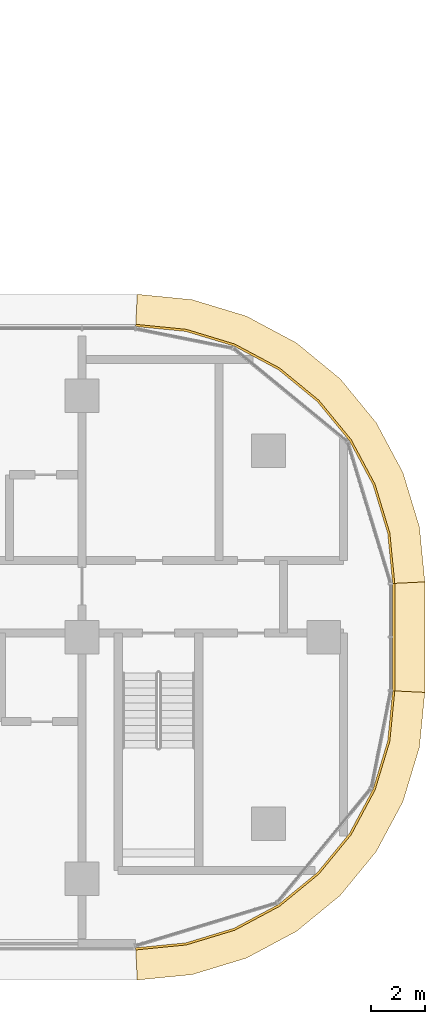
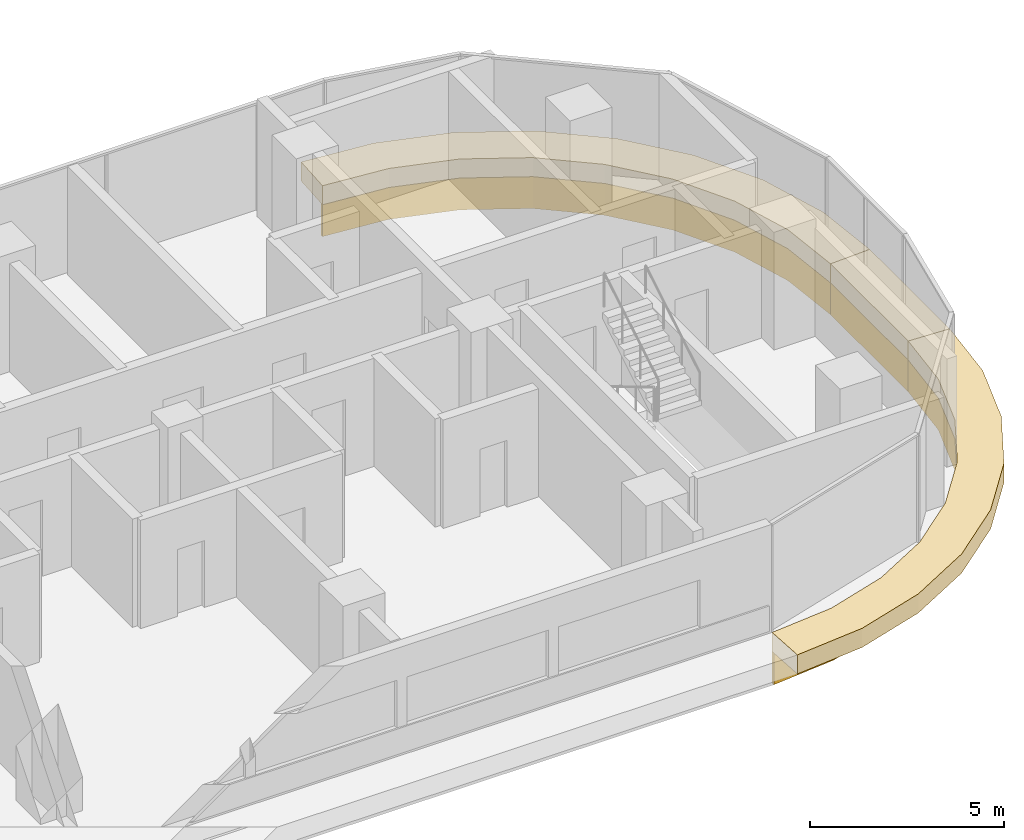
# One storey, part 25 of 25: 6 coverings.
"""IFC4 building model written with IfcOpenShell, lengths in metres."""

import ifcopenshell
import ifcopenshell.guid

model = None  # the IFC model being written
_history = None  # IfcOwnerHistory: only IFC2X3 demands one
_inside = {}  # id of a spatial element -> (the spatial element, [elements in it])
_under = {}  # id of a project, library or spatial element -> (it, [spatial elements below it])
_declared = {}  # id of a project -> (the project, [libraries it declares])
_typed = {}  # id of a type object -> (the type object, [elements of that type])
_made_of = {}  # id of a material, layer set ... -> (it, [elements and type objects made of it])


def new_model(schema):
    """Start an empty IFC model of exactly this schema.

    Asked for "IFC4X3", IfcOpenShell would pick the latest addendum, in which some entities
    have other attributes; the version numbers below select the first issue.
    IFC2X3 requires an IfcOwnerHistory on every rooted entity: one is made here for all.
    """
    global model, _history
    if schema == "IFC4X3":
        model = ifcopenshell.file(schema_version=(4, 3, 0, 0))
    else:
        model = ifcopenshell.file(schema=schema)
    _inside.clear()
    _under.clear()
    _declared.clear()
    _typed.clear()
    _made_of.clear()
    _history = None
    if model.schema == "IFC2X3":
        org = make("IfcOrganization", Name="unknown")
        user = make(
            "IfcPersonAndOrganization",
            ThePerson=make("IfcPerson", FamilyName="unknown"),
            TheOrganization=org,
        )
        app = make(
            "IfcApplication",
            ApplicationDeveloper=org,
            Version="unknown",
            ApplicationFullName="unknown",
            ApplicationIdentifier="unknown",
        )
        _history = make(
            "IfcOwnerHistory",
            OwningUser=user,
            OwningApplication=app,
            ChangeAction="ADDED",
            CreationDate=0,
        )
    return model


def make(cls, **values):
    """One entity of the class cls with the attributes given. An attribute that is None is left unset."""
    return model.create_entity(
        cls, **{name: value for name, value in values.items() if value is not None}
    )


def rooted(cls, **values):
    """An entity with a GlobalId (a new one), such as an element, a storey or a relation."""
    return make(cls, GlobalId=ifcopenshell.guid.new(), OwnerHistory=_history, **values)


def si_unit(unit_type, name, prefix=None):
    """IfcSIUnit, for example si_unit("LENGTHUNIT", "METRE", prefix="MILLI")."""
    return make("IfcSIUnit", UnitType=unit_type, Prefix=prefix, Name=name)


def assignment(units):
    """IfcUnitAssignment: the units of a project."""
    return None if units is None else make("IfcUnitAssignment", Units=units)


def point(xyz):
    """IfcCartesianPoint."""
    return None if xyz is None else make("IfcCartesianPoint", Coordinates=xyz)


def direction(xyz):
    """IfcDirection."""
    return None if xyz is None else make("IfcDirection", DirectionRatios=xyz)


def frame(location, z_axis=None, x_axis=None):
    """IfcAxis2Placement3D, a coordinate frame: its origin and axes. An axis left out is left unset."""
    return make(
        "IfcAxis2Placement3D",
        Location=point(location),
        Axis=direction(z_axis),
        RefDirection=direction(x_axis),
    )


def origin():
    """The frame at (0, 0, 0) with its axes left unset."""
    return frame((0.0, 0.0, 0.0))


def place(relative_to, where):
    """IfcLocalPlacement: puts the frame where relative to a parent placement (None: the world)."""
    return make(
        "IfcLocalPlacement", PlacementRelTo=relative_to, RelativePlacement=where
    )


def context(
    kind, dimensions, precision=None, world=None, true_north=None, identifier=None
):
    """IfcGeometricRepresentationContext, for example the 3D "Model" context."""
    return make(
        "IfcGeometricRepresentationContext",
        ContextIdentifier=identifier,
        ContextType=kind,
        CoordinateSpaceDimension=dimensions,
        Precision=precision,
        WorldCoordinateSystem=world,
        TrueNorth=true_north,
    )


def subcontext(parent, identifier, kind, view, scale=None):
    """IfcGeometricRepresentationSubContext, for example "Body" below "Model"."""
    return make(
        "IfcGeometricRepresentationSubContext",
        ContextIdentifier=identifier,
        ContextType=kind,
        ParentContext=parent,
        TargetScale=scale,
        TargetView=view,
    )


def project(units=None, contexts=None):
    """IfcProject with its units and contexts."""
    return rooted(
        "IfcProject",
        Name="project",
        RepresentationContexts=contexts,
        UnitsInContext=assignment(units),
    )


def spatial(cls, under=None, at=None, **own):
    """A site, building, storey or space (cls), placed at a placement, below another one or the project."""
    s = rooted(cls, ObjectPlacement=at, **own)
    if under is not None:
        _under.setdefault(under.id(), (under, []))[1].append(s)
    return s


def polyline(points):
    """IfcPolyline through the points."""
    return make("IfcPolyline", Points=[point(p) for p in points])


def outline(outer, holes=None, kind="AREA"):
    """IfcArbitraryClosedProfileDef: a profile drawn as a closed curve; with holes, ...WithVoids."""
    if holes is None:
        return make("IfcArbitraryClosedProfileDef", ProfileType=kind, OuterCurve=outer)
    return make(
        "IfcArbitraryProfileDefWithVoids",
        ProfileType=kind,
        OuterCurve=outer,
        InnerCurves=holes,
    )


def extrude(swept, where, along, depth):
    """IfcExtrudedAreaSolid: the profile swept, set in the frame where, extruded along a direction by depth."""
    return make(
        "IfcExtrudedAreaSolid",
        SweptArea=swept,
        Position=where,
        ExtrudedDirection=direction(along),
        Depth=depth,
    )


def shape(context_of_items, identifier, shape_type, items):
    """IfcShapeRepresentation: the items that make up one representation, for example the "Body"."""
    return make(
        "IfcShapeRepresentation",
        ContextOfItems=context_of_items,
        RepresentationIdentifier=identifier,
        RepresentationType=shape_type,
        Items=items,
    )


def material(Name=None, Category=None):
    """IfcMaterial."""
    return make("IfcMaterial", Name=Name, Category=Category)


def layer(
    of_material, thickness, ventilated=None, Name=None, Category=None, Priority=None
):
    """IfcMaterialLayer: one layer of a wall or slab, of a material (None: an air gap)."""
    return make(
        "IfcMaterialLayer",
        Material=of_material,
        LayerThickness=thickness,
        IsVentilated=ventilated,
        Name=Name,
        Category=Category,
        Priority=Priority,
    )


def layer_set(layers, Name=None):
    """IfcMaterialLayerSet."""
    return make("IfcMaterialLayerSet", MaterialLayers=layers, LayerSetName=Name)


def made_of(thing, what):
    """Note that an element or type object is made of a material, layer set ...; save() writes the relation."""
    if what is not None:
        _made_of.setdefault(what.id(), (what, []))[1].append(thing)
    return thing


def type_object(cls, material=None, **own):
    """A type object (cls), such as IfcWallType, which elements share."""
    return made_of(rooted(cls, **own), material)


def element(
    cls,
    number,
    at=None,
    inside=None,
    cuts=None,
    type_object=None,
    material=None,
    context=None,
    identifier="Body",
    shape_type=None,
    held_by="IfcProductDefinitionShape",
    body=None,
    shapes=None,
    **own,
):
    """One element of the class cls, such as IfcWall. Its Tag is "e" and its number.

    at: its placement. inside: the storey or other place that contains it. cuts: it is an
    opening in that element (IfcRelVoidsElement). A single representation is given by context,
    identifier, shape_type and body (its items); several are given by shapes. held_by: the class
    of the entity that holds the representations. save() writes the other relations.
    """
    e = rooted(cls, Tag="e%d" % number, ObjectPlacement=at, **own)
    if body is not None:
        shapes = [shape(context, identifier, shape_type, body)]
    if shapes is not None:
        e.Representation = make(held_by, Representations=shapes)
    if inside is not None:
        _inside.setdefault(inside.id(), (inside, []))[1].append(e)
    if cuts is not None:
        rooted(
            "IfcRelVoidsElement", RelatingBuildingElement=cuts, RelatedOpeningElement=e
        )
    if type_object is not None:
        _typed.setdefault(type_object.id(), (type_object, []))[1].append(e)
    return made_of(e, material)


def aggregate(whole, parts):
    """IfcRelAggregates: a whole, such as a stair, and the parts it consists of."""
    return rooted("IfcRelAggregates", RelatingObject=whole, RelatedObjects=parts)


def save(model, path):
    """Write the relations noted so far, then the file.

    IfcRelAggregates (storeys below a building ...), IfcRelContainedInSpatialStructure (elements
    in a storey), IfcRelDefinesByType, IfcRelAssociatesMaterial and IfcRelDeclares: one each for
    every whole, place, type object, material and project.
    """
    for whole, parts in _under.values():
        aggregate(whole, parts)
    for where, things in _inside.values():
        rooted(
            "IfcRelContainedInSpatialStructure",
            RelatedElements=things,
            RelatingStructure=where,
        )
    for kind, things in _typed.values():
        rooted("IfcRelDefinesByType", RelatedObjects=things, RelatingType=kind)
    for what, things in _made_of.values():
        rooted("IfcRelAssociatesMaterial", RelatedObjects=things, RelatingMaterial=what)
    for by, libraries in _declared.values():
        rooted("IfcRelDeclares", RelatingContext=by, RelatedDefinitions=libraries)
    model.write(path)


model = new_model("IFC4")

# Units and contexts
model_context = context("Model", 3, precision=1e-05, world=origin(), true_north=direction((0.0, 1.0)))
body_context = subcontext(model_context, "Body", "Model", "MODEL_VIEW")
ifc_project = project(units=[si_unit("LENGTHUNIT", "METRE"), si_unit("AREAUNIT", "SQUARE_METRE"), si_unit("VOLUMEUNIT", "CUBIC_METRE"), si_unit("PLANEANGLEUNIT", "RADIAN"), si_unit("MASSUNIT", "GRAM", prefix="KILO")], contexts=[model_context])

# Site, building, storey
site_placement = place(None, origin())
site = spatial("IfcSite", under=ifc_project, at=site_placement, CompositionType="ELEMENT")
building_placement = place(site_placement, origin())
building = spatial("IfcBuilding", under=site, at=building_placement, Name="Ogive Portal Towers", CompositionType="ELEMENT")
storey_placement = place(building_placement, frame((0.0, 0.0, 116.699951171875)))
storey = spatial("IfcBuildingStorey", under=building, at=storey_placement, Name="L28", CompositionType="ELEMENT", Elevation=116.699951171875)

# Coverings
ifc_material = material(Name="Limestone cladding on lightweight block wall", Category="masonry")
ifc_layer_1 = layer(ifc_material, 0.080078125)
ifc_layer_set_1 = layer_set([ifc_layer_1], Name="STONE SPANDREL 80")
covering_type_1 = type_object("IfcCoveringType", Name="STONE SPANDREL 80", PredefinedType="CLADDING", material=ifc_layer_set_1)
covering_1_placement = place(storey_placement, frame((0.0, 0.0, -1.599853515625)))
element("IfcCovering", 1, at=covering_1_placement, inside=storey, type_object=covering_type_1, Name="Stone spandrel A1-F06", PredefinedType="CLADDING", context=body_context, shape_type="SweptSolid", body=[
    extrude(outline(polyline([(87.5, 18.925048828125), (89.367919921875, 19.10888671875), (91.164306640625, 19.65380859375), (92.819580078125, 20.53857421875), (94.2705078125, 21.7294921875), (95.46142578125, 23.180419921875), (96.34619140625, 24.835693359375), (96.89111328125, 26.632080078125), (97.074951171875, 28.5), (97.155029296875, 28.49609375), (96.969970703125, 26.6162109375), (96.42041015625, 24.804931640625), (95.528076171875, 23.1357421875), (94.327392578125, 21.672607421875), (92.8642578125, 20.471923828125), (91.195068359375, 19.57958984375), (89.3837890625, 19.030029296875), (87.50390625, 18.844970703125), (87.5, 18.925048828125)])), origin(), (0.0, 0.0, 1.0), 1.0),
])
covering_2_placement = place(storey_placement, frame((0.0, 0.0, -1.599853515625)))
element("IfcCovering", 2, at=covering_2_placement, inside=storey, type_object=covering_type_1, Name="Stone spandrel A1-F07", PredefinedType="CLADDING", context=body_context, shape_type="SweptSolid", body=[
    extrude(outline(polyline([(97.074951171875, 28.5), (97.074951171875, 32.5), (97.155029296875, 32.50390625), (97.155029296875, 28.49609375), (97.074951171875, 28.5)])), origin(), (0.0, 0.0, 1.0), 1.0),
])
covering_3_placement = place(storey_placement, frame((0.0, 0.0, -1.599853515625)))
element("IfcCovering", 3, at=covering_3_placement, inside=storey, type_object=covering_type_1, Name="Stone spandrel A1-F08", PredefinedType="CLADDING", context=body_context, shape_type="SweptSolid", body=[
    extrude(outline(polyline([(97.074951171875, 32.5), (96.89111328125, 34.367919921875), (96.34619140625, 36.164306640625), (95.46142578125, 37.819580078125), (94.2705078125, 39.2705078125), (92.819580078125, 40.46142578125), (91.164306640625, 41.34619140625), (89.367919921875, 41.89111328125), (87.5, 42.074951171875), (87.50390625, 42.155029296875), (89.3837890625, 41.969970703125), (91.195068359375, 41.42041015625), (92.8642578125, 40.528076171875), (94.327392578125, 39.327392578125), (95.528076171875, 37.8642578125), (96.42041015625, 36.195068359375), (96.969970703125, 34.3837890625), (97.155029296875, 32.50390625), (97.074951171875, 32.5)])), origin(), (0.0, 0.0, 1.0), 1.0),
])
ifc_layer_2 = layer(ifc_material, 0.60009765625)
ifc_layer_set_2 = layer_set([ifc_layer_2], Name="SUNSHADE LIP 600")
covering_type_2 = type_object("IfcCoveringType", Name="SUNSHADE LIP 600", PredefinedType="CLADDING", material=ifc_layer_set_2)
covering_4_placement = place(storey_placement, frame((0.0, 0.0, -0.599853515625)))
element("IfcCovering", 4, at=covering_4_placement, inside=storey, type_object=covering_type_2, Name="Sunshade lip A1-F06", PredefinedType="CLADDING", context=body_context, shape_type="SweptSolid", body=[
    extrude(outline(polyline([(87.5, 18.925048828125), (89.367919921875, 19.10888671875), (91.164306640625, 19.65380859375), (92.819580078125, 20.53857421875), (94.2705078125, 21.7294921875), (95.46142578125, 23.180419921875), (96.34619140625, 24.835693359375), (96.89111328125, 26.632080078125), (97.074951171875, 28.5), (98.27490234375, 28.441162109375), (98.07373046875, 26.396728515625), (97.460205078125, 24.374267578125), (96.4638671875, 22.510498046875), (95.123291015625, 20.876708984375), (93.489501953125, 19.5361328125), (91.625732421875, 18.539794921875), (89.603271484375, 17.92626953125), (87.558837890625, 17.72509765625), (87.5, 18.925048828125)])), origin(), (0.0, 0.0, 1.0), 0.599853515625),
])
covering_5_placement = place(storey_placement, frame((0.0, 0.0, -0.599853515625)))
element("IfcCovering", 5, at=covering_5_placement, inside=storey, type_object=covering_type_2, Name="Sunshade lip A1-F07", PredefinedType="CLADDING", context=body_context, shape_type="SweptSolid", body=[
    extrude(outline(polyline([(97.074951171875, 28.5), (97.074951171875, 32.5), (98.27490234375, 32.558837890625), (98.27490234375, 28.441162109375), (97.074951171875, 28.5)])), origin(), (0.0, 0.0, 1.0), 0.599853515625),
])
covering_6_placement = place(storey_placement, frame((0.0, 0.0, -0.599853515625)))
element("IfcCovering", 6, at=covering_6_placement, inside=storey, type_object=covering_type_2, Name="Sunshade lip A1-F08", PredefinedType="CLADDING", context=body_context, shape_type="SweptSolid", body=[
    extrude(outline(polyline([(97.074951171875, 32.5), (96.89111328125, 34.367919921875), (96.34619140625, 36.164306640625), (95.46142578125, 37.819580078125), (94.2705078125, 39.2705078125), (92.819580078125, 40.46142578125), (91.164306640625, 41.34619140625), (89.367919921875, 41.89111328125), (87.5, 42.074951171875), (87.558837890625, 43.27490234375), (89.603271484375, 43.07373046875), (91.625732421875, 42.460205078125), (93.489501953125, 41.4638671875), (95.123291015625, 40.123291015625), (96.4638671875, 38.489501953125), (97.460205078125, 36.625732421875), (98.07373046875, 34.603271484375), (98.27490234375, 32.558837890625), (97.074951171875, 32.5)])), origin(), (0.0, 0.0, 1.0), 0.599853515625),
])

save(model, "model.ifc")
